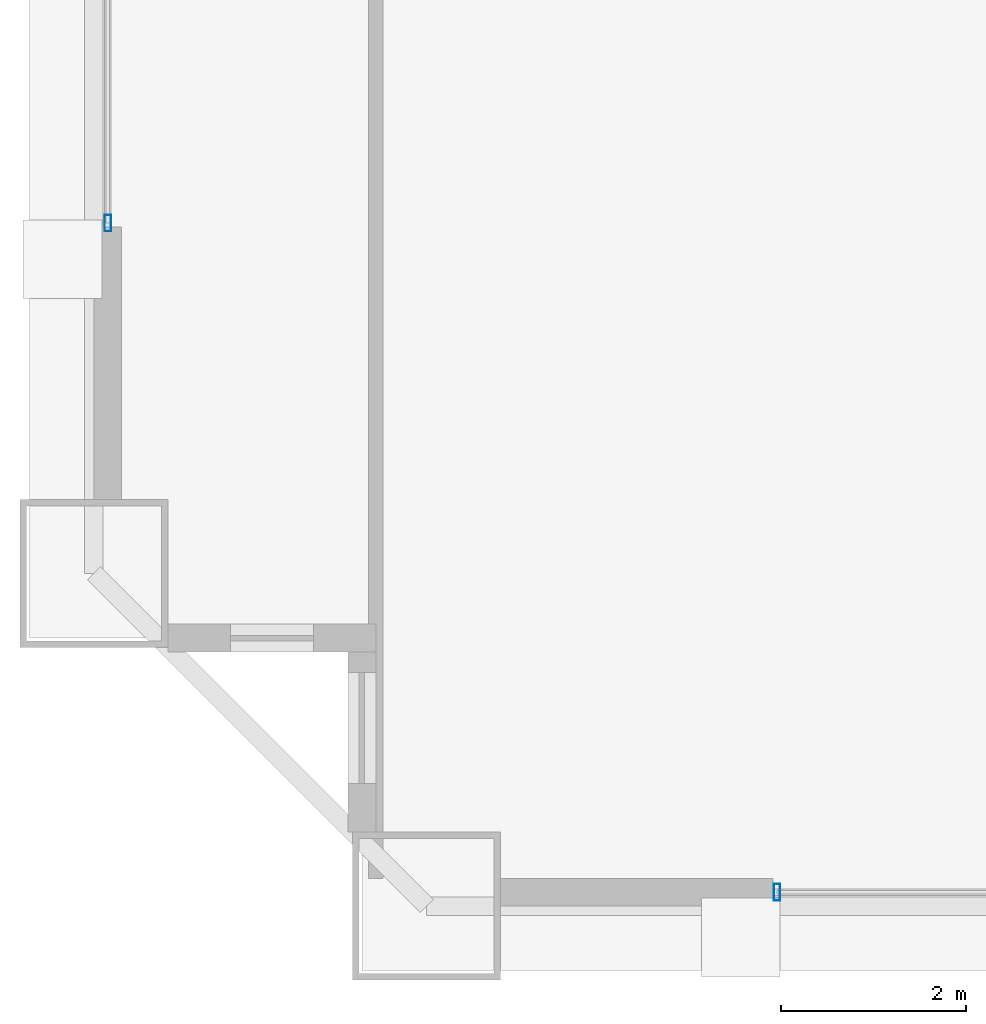
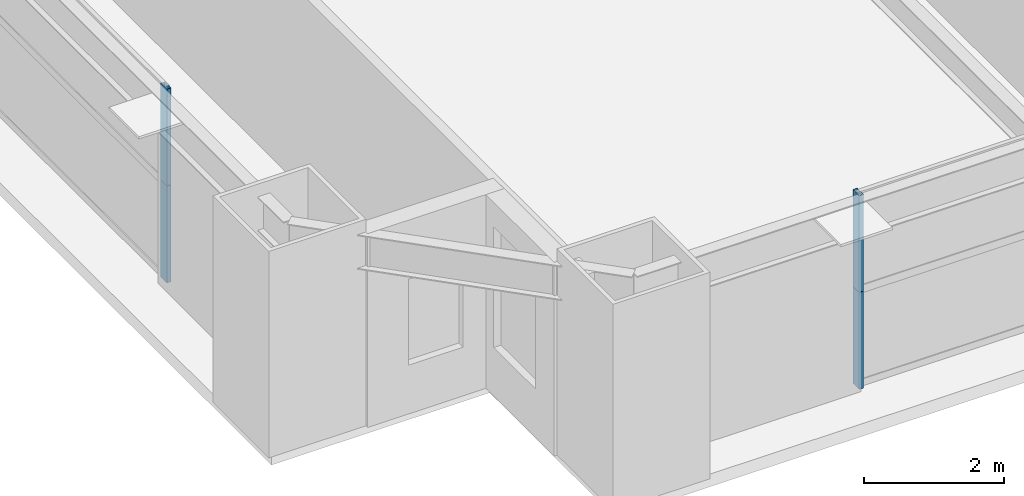
# One storey, part 4 of 39: 4 members, 2 elements without a shape of their own.
"""IFC4 building model written with IfcOpenShell, lengths in metres."""

from ifc_helpers import new_model, si_unit, direction, frame, origin, origin_2d, place, context, subcontext, project, spatial, hollow_rectangle, extrude, source, transform, mapped, material, layer, layer_set, material_profile, profile_set, type_object, element, aggregate, save


model = new_model("IFC4")

# Units and contexts
model_context = context("Model", 3, precision=1e-05, world=origin(), true_north=direction((0.0, 1.0)))
body_context = subcontext(model_context, "Body", "Model", "MODEL_VIEW")
ifc_project = project(units=[si_unit("LENGTHUNIT", "METRE"), si_unit("AREAUNIT", "SQUARE_METRE"), si_unit("VOLUMEUNIT", "CUBIC_METRE"), si_unit("PLANEANGLEUNIT", "RADIAN"), si_unit("MASSUNIT", "GRAM", prefix="KILO"), si_unit("THERMODYNAMICTEMPERATUREUNIT", "KELVIN"), si_unit("POWERUNIT", "WATT")], contexts=[model_context])

# Site, building, storey
site_placement = place(None, origin())
site = spatial("IfcSite", under=ifc_project, at=site_placement, CompositionType="ELEMENT")
building_placement = place(site_placement, origin())
building = spatial("IfcBuilding", under=site, at=building_placement, Name="Yuzanri Waterfront Tower", CompositionType="ELEMENT")
storey_placement = place(building_placement, frame((0.0, 0.0, 134.39990234375)))
storey = spatial("IfcBuildingStorey", under=building, at=storey_placement, Name="L35", CompositionType="ELEMENT", Elevation=134.39990234375)

# Curtain wall, members
ifc_material_1 = material(Name="Anodized Architectural Bronze", Category="metal")
ifc_layer = layer(ifc_material_1, 0.159912109375)
ifc_layer_set = layer_set([ifc_layer], Name="Anodized Architectural Bronze")
curtain_wall_type = type_object("IfcCurtainWallType", Name="Anodized Bronze Hotel Upper-Tier Solar-Control Unitized Curtain Wall 7800", PredefinedType="NOTDEFINED", material=ifc_layer_set)
curtain_wall_1_placement = place(storey_placement, origin())
curtain_wall_1 = element("IfcCurtainWall", 1, at=curtain_wall_1_placement, inside=storey, type_object=curtain_wall_type, Name="L35 Curtain Wall CW-L35-SL", PredefinedType="NOTDEFINED")
ifc_material_2 = material(Name="Anodized Architectural Bronze", Category="metal")
ifc_material_profile = material_profile(ifc_material_2, hollow_rectangle(XDim=0.070068359375, YDim=0.179931640625, WallThickness=0.00390625, at=origin_2d()), Name="CWM 70x180")
ifc_profile_set = profile_set([ifc_material_profile], Name="Anodized Architectural Bronze")
member_type = type_object("IfcMemberType", Name="Anodized Bronze Standard Curtain-Wall Mullion 70x180", PredefinedType="MULLION", material=ifc_profile_set)
shared_shape = source(origin(), body_context, "Body", "SweptSolid", [
    extrude(hollow_rectangle(XDim=0.070068359375, YDim=0.179931640625, WallThickness=0.00390625, at=origin_2d()), origin(), (0.0, 0.0, 1.0), 1.68798828125),
])
member_1_placement = place(storey_placement, frame((20.7900390625, 2.35009765625, 0.0), z_axis=(0.0, 0.0, 1.0), x_axis=(1.0, 0.0, 0.0)))
member_1 = element("IfcMember", 2, at=member_1_placement, type_object=member_type, Name="CW-L35-SL Lower Mullion 00", PredefinedType="MULLION", context=body_context, shape_type="MappedRepresentation", body=[
    mapped(shared_shape, transform((0.0, 0.0, 0.0), scale=1.0)),
])
member_2_placement = place(storey_placement, frame((20.7900390625, 2.35009765625, 1.692138671875), z_axis=(0.0, 0.0, 1.0), x_axis=(1.0, 0.0, 0.0)))
member_2 = element("IfcMember", 3, at=member_2_placement, type_object=member_type, Name="CW-L35-SL Upper Mullion 00", PredefinedType="MULLION", context=body_context, shape_type="MappedRepresentation", body=[
    mapped(shared_shape, transform((0.0, 0.0, 0.0), scale=1.0)),
])
aggregate(curtain_wall_1, [member_1, member_2])

curtain_wall_2_placement = place(storey_placement, origin())
curtain_wall_2 = element("IfcCurtainWall", 4, at=curtain_wall_2_placement, inside=storey, type_object=curtain_wall_type, Name="L35 Curtain Wall CW-L35-WL", PredefinedType="NOTDEFINED")
member_3_placement = place(storey_placement, frame((13.550048828125, 9.590087890625, 0.0), z_axis=(0.0, 0.0, 1.0), x_axis=(1.0, 0.0, 0.0)))
member_3 = element("IfcMember", 5, at=member_3_placement, type_object=member_type, Name="CW-L35-WL Lower Mullion 00", PredefinedType="MULLION", context=body_context, shape_type="MappedRepresentation", body=[
    mapped(shared_shape, transform((0.0, 0.0, 0.0), scale=1.0)),
])
member_4_placement = place(storey_placement, frame((13.550048828125, 9.590087890625, 1.692138671875), z_axis=(0.0, 0.0, 1.0), x_axis=(1.0, 0.0, 0.0)))
member_4 = element("IfcMember", 6, at=member_4_placement, type_object=member_type, Name="CW-L35-WL Upper Mullion 00", PredefinedType="MULLION", context=body_context, shape_type="MappedRepresentation", body=[
    mapped(shared_shape, transform((0.0, 0.0, 0.0), scale=1.0)),
])
aggregate(curtain_wall_2, [member_3, member_4])

save(model, "model.ifc")
